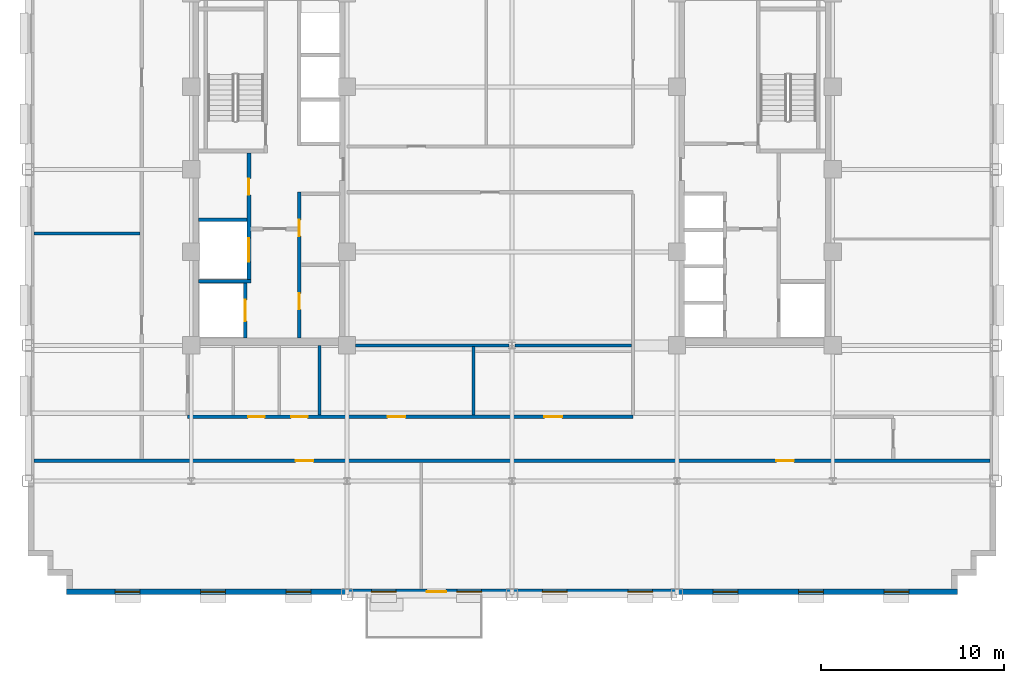
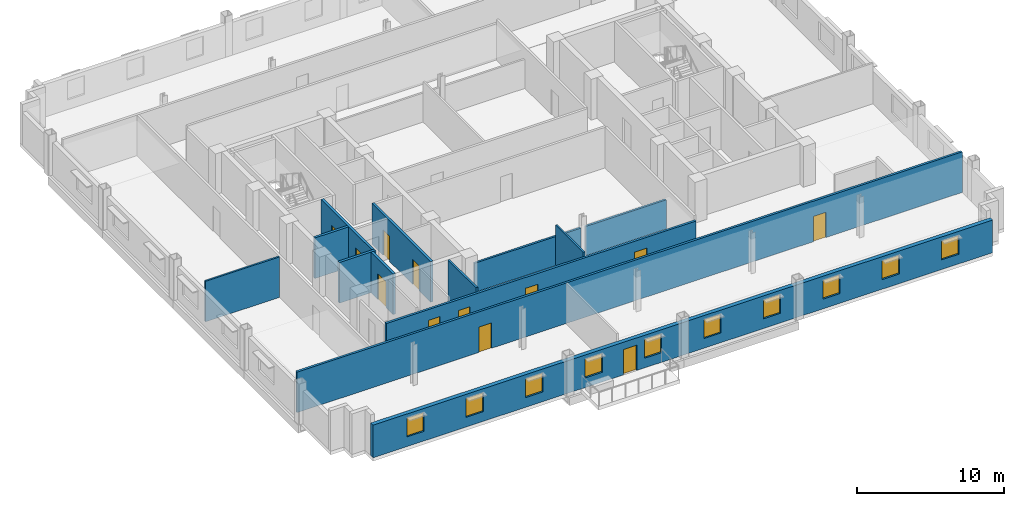
# One storey, part 6 of 14: 13 walls, 12 doors, 10 windows, 22 openings.
"""IFC4 building model written with IfcOpenShell, lengths in metres."""

from ifc_helpers import new_model, si_unit, direction, frame, frame_2d, origin, place, context, subcontext, project, spatial, rectangle, extrude, source, transform, mapped, material, layer, layer_set, type_object, type_shapes, element, fill, save


model = new_model("IFC4")

# Units and contexts
model_context = context("Model", 3, precision=1e-05, world=origin(), true_north=direction((0.0, 1.0)))
body_context = subcontext(model_context, "Body", "Model", "MODEL_VIEW")
ifc_project = project(units=[si_unit("LENGTHUNIT", "METRE"), si_unit("AREAUNIT", "SQUARE_METRE"), si_unit("VOLUMEUNIT", "CUBIC_METRE"), si_unit("PLANEANGLEUNIT", "RADIAN"), si_unit("MASSUNIT", "GRAM", prefix="KILO")], contexts=[model_context])

# Site, building, storey
site_placement = place(None, origin())
site = spatial("IfcSite", under=ifc_project, at=site_placement, CompositionType="ELEMENT")
building_placement = place(site_placement, origin())
building = spatial("IfcBuilding", under=site, at=building_placement, Name="Nuvemarco Arch Tower", CompositionType="ELEMENT")
storey_placement = place(building_placement, frame((0.0, 0.0, 134.800048828125)))
storey = spatial("IfcBuildingStorey", under=building, at=storey_placement, Name="L35", CompositionType="ELEMENT", Elevation=134.800048828125)

# Wall, openings, door, windows
ifc_material_1 = material(Name="Precast concrete C45/55", Category="concrete")
ifc_layer_1 = layer(ifc_material_1, 0.320068359375, Name="EW-MID-320")
ifc_layer_set_1 = layer_set([ifc_layer_1], Name="Precast concrete C45/55")
wall_type_1 = type_object("IfcWallType", Name="EW-MID-320", PredefinedType="STANDARD", material=ifc_layer_set_1)
wall_1_placement = place(storey_placement, frame((-24.300048828125, -23.0400390625, 0.0), z_axis=(0.0, 0.0, 1.0), x_axis=(1.0, 0.0, 0.0)))
wall_1 = element("IfcWall", 1, at=wall_1_placement, inside=storey, type_object=wall_type_1, Name="L35 exterior precast facade wall 1", PredefinedType="STANDARD", context=body_context, shape_type="SweptSolid", body=[
    extrude(rectangle(XDim=48.60009765625, YDim=0.320068359375, at=frame_2d((24.300048828125, 0.0))), origin(), (0.0, 0.0, 1.0), 2.704833984375),
])
opening_1_placement = place(wall_1_placement, frame((20.699951171875, 0.0, 0.0), z_axis=(0.0, 0.0, 1.0), x_axis=(-1.0, 0.0, 0.0)))
opening_1 = element("IfcOpeningElement", 2, at=opening_1_placement, cuts=wall_1, Name="Opening ED-5", PredefinedType="OPENING", context=body_context, shape_type="SweptSolid", body=[
    extrude(rectangle(XDim=1.050048828125, YDim=2.10009765625, at=frame_2d((0.52490234375, 1.050048828125))), frame((0.0, 0.169921875, 0.0), z_axis=(0.0, -1.0, 0.0), x_axis=(1.0, 0.0, 0.0)), (0.0, 0.0, 1.0), 0.340087890625),
])
opening_2_placement = place(wall_1_placement, frame((2.655029296875, 0.0, 0.800048828125)))
opening_2 = element("IfcOpeningElement", 3, at=opening_2_placement, cuts=wall_1, Name="Opening WN-6", PredefinedType="OPENING", context=body_context, shape_type="SweptSolid", body=[
    extrude(rectangle(XDim=1.35009765625, YDim=1.56005859375, at=frame_2d((0.675048828125, 0.780029296875))), frame((0.0, 0.169921875, 0.0), z_axis=(0.0, -1.0, 0.0), x_axis=(1.0, 0.0, 0.0)), (0.0, 0.0, 1.0), 0.340087890625),
])
opening_3_placement = place(wall_1_placement, frame((7.31494140625, 0.0, 0.800048828125)))
opening_3 = element("IfcOpeningElement", 4, at=opening_3_placement, cuts=wall_1, Name="Opening WN-6", PredefinedType="OPENING", context=body_context, shape_type="SweptSolid", body=[
    extrude(rectangle(XDim=1.35009765625, YDim=1.56005859375, at=frame_2d((0.675048828125, 0.780029296875))), frame((0.0, 0.169921875, 0.0), z_axis=(0.0, -1.0, 0.0), x_axis=(1.0, 0.0, 0.0)), (0.0, 0.0, 1.0), 0.340087890625),
])
opening_4_placement = place(wall_1_placement, frame((11.97509765625, 0.0, 0.800048828125)))
opening_4 = element("IfcOpeningElement", 5, at=opening_4_placement, cuts=wall_1, Name="Opening WN-6", PredefinedType="OPENING", context=body_context, shape_type="SweptSolid", body=[
    extrude(rectangle(XDim=1.35009765625, YDim=1.56005859375, at=frame_2d((0.675048828125, 0.780029296875))), frame((0.0, 0.169921875, 0.0), z_axis=(0.0, -1.0, 0.0), x_axis=(1.0, 0.0, 0.0)), (0.0, 0.0, 1.0), 0.340087890625),
])
opening_5_placement = place(wall_1_placement, frame((16.635009765625, 0.0, 0.800048828125)))
opening_5 = element("IfcOpeningElement", 6, at=opening_5_placement, cuts=wall_1, Name="Opening WN-6", PredefinedType="OPENING", context=body_context, shape_type="SweptSolid", body=[
    extrude(rectangle(XDim=1.35009765625, YDim=1.56005859375, at=frame_2d((0.675048828125, 0.780029296875))), frame((0.0, 0.169921875, 0.0), z_axis=(0.0, -1.0, 0.0), x_axis=(1.0, 0.0, 0.0)), (0.0, 0.0, 1.0), 0.340087890625),
])
opening_6_placement = place(wall_1_placement, frame((21.294921875, 0.0, 0.800048828125)))
opening_6 = element("IfcOpeningElement", 7, at=opening_6_placement, cuts=wall_1, Name="Opening WN-6", PredefinedType="OPENING", context=body_context, shape_type="SweptSolid", body=[
    extrude(rectangle(XDim=1.35009765625, YDim=1.56005859375, at=frame_2d((0.675048828125, 0.780029296875))), frame((0.0, 0.169921875, 0.0), z_axis=(0.0, -1.0, 0.0), x_axis=(1.0, 0.0, 0.0)), (0.0, 0.0, 1.0), 0.340087890625),
])
opening_7_placement = place(wall_1_placement, frame((25.955078125, 0.0, 0.800048828125)))
opening_7 = element("IfcOpeningElement", 8, at=opening_7_placement, cuts=wall_1, Name="Opening WN-6", PredefinedType="OPENING", context=body_context, shape_type="SweptSolid", body=[
    extrude(rectangle(XDim=1.35009765625, YDim=1.56005859375, at=frame_2d((0.675048828125, 0.780029296875))), frame((0.0, 0.169921875, 0.0), z_axis=(0.0, -1.0, 0.0), x_axis=(1.0, 0.0, 0.0)), (0.0, 0.0, 1.0), 0.340087890625),
])
opening_8_placement = place(wall_1_placement, frame((30.614990234375, 0.0, 0.800048828125)))
opening_8 = element("IfcOpeningElement", 9, at=opening_8_placement, cuts=wall_1, Name="Opening WN-6", PredefinedType="OPENING", context=body_context, shape_type="SweptSolid", body=[
    extrude(rectangle(XDim=1.35009765625, YDim=1.56005859375, at=frame_2d((0.675048828125, 0.780029296875))), frame((0.0, 0.169921875, 0.0), z_axis=(0.0, -1.0, 0.0), x_axis=(1.0, 0.0, 0.0)), (0.0, 0.0, 1.0), 0.340087890625),
])
opening_9_placement = place(wall_1_placement, frame((35.27490234375, 0.0, 0.800048828125)))
opening_9 = element("IfcOpeningElement", 10, at=opening_9_placement, cuts=wall_1, Name="Opening WN-6", PredefinedType="OPENING", context=body_context, shape_type="SweptSolid", body=[
    extrude(rectangle(XDim=1.35009765625, YDim=1.56005859375, at=frame_2d((0.675048828125, 0.780029296875))), frame((0.0, 0.169921875, 0.0), z_axis=(0.0, -1.0, 0.0), x_axis=(1.0, 0.0, 0.0)), (0.0, 0.0, 1.0), 0.340087890625),
])
opening_10_placement = place(wall_1_placement, frame((39.93505859375, 0.0, 0.800048828125)))
opening_10 = element("IfcOpeningElement", 11, at=opening_10_placement, cuts=wall_1, Name="Opening WN-6", PredefinedType="OPENING", context=body_context, shape_type="SweptSolid", body=[
    extrude(rectangle(XDim=1.35009765625, YDim=1.56005859375, at=frame_2d((0.675048828125, 0.780029296875))), frame((0.0, 0.169921875, 0.0), z_axis=(0.0, -1.0, 0.0), x_axis=(1.0, 0.0, 0.0)), (0.0, 0.0, 1.0), 0.340087890625),
])
opening_11_placement = place(wall_1_placement, frame((44.594970703125, 0.0, 0.800048828125)))
opening_11 = element("IfcOpeningElement", 12, at=opening_11_placement, cuts=wall_1, Name="Opening WN-6", PredefinedType="OPENING", context=body_context, shape_type="SweptSolid", body=[
    extrude(rectangle(XDim=1.35009765625, YDim=1.56005859375, at=frame_2d((0.675048828125, 0.780029296875))), frame((0.0, 0.169921875, 0.0), z_axis=(0.0, -1.0, 0.0), x_axis=(1.0, 0.0, 0.0)), (0.0, 0.0, 1.0), 0.340087890625),
])
ifc_material_2 = material(Name="Anodised bronze and laminated glass", Category="glass")
door_type_1 = type_object("IfcDoorType", Name="DR-EXT-TERR", OperationType="NOTDEFINED", PredefinedType="DOOR", material=ifc_material_2)
shared_shape_1 = source(origin(), body_context, "Body", "SweptSolid", [
    extrude(rectangle(XDim=1.050048828125, YDim=2.10009765625, at=frame_2d((0.52490234375, 1.050048828125))), frame((0.0, 0.02490234375, 0.0), z_axis=(0.0, -1.0, 0.0), x_axis=(1.0, 0.0, 0.0)), (0.0, 0.0, 1.0), 0.050048828125),
])
type_shapes(door_type_1, [shared_shape_1])
door_1_placement = place(opening_1_placement, origin())
door_1 = element("IfcDoor", 13, at=door_1_placement, inside=storey, type_object=door_type_1, Name="L35 spiral terrace access door", OperationType="SINGLE_SWING_LEFT", OverallHeight=2.10009765625, OverallWidth=1.050048828125, PredefinedType="DOOR", context=body_context, shape_type="MappedRepresentation", body=[
    mapped(shared_shape_1, transform((0.0, 0.0, 0.0), scale=1.0)),
])
fill(opening_1, door_1)
ifc_material_3 = material(Name="Insulated solar-control glass", Category="glass")
window_type = type_object("IfcWindowType", Name="WN-MID-1350x1560", PartitioningType="SINGLE_PANEL", PredefinedType="WINDOW", material=ifc_material_3)
shared_shape_2 = source(origin(), body_context, "Body", "SweptSolid", [
    extrude(rectangle(XDim=1.35009765625, YDim=1.56005859375, at=frame_2d((0.675048828125, 0.780029296875))), frame((0.0, 0.030029296875, 0.0), z_axis=(0.0, -1.0, 0.0), x_axis=(1.0, 0.0, 0.0)), (0.0, 0.0, 1.0), 0.06005859375),
])
type_shapes(window_type, [shared_shape_2])
window_1_placement = place(opening_2_placement, origin())
window_1 = element("IfcWindow", 14, at=window_1_placement, inside=storey, type_object=window_type, Name="L35 punched facade window 1", OverallHeight=1.56005859375, OverallWidth=1.35009765625, PartitioningType="SINGLE_PANEL", PredefinedType="WINDOW", context=body_context, shape_type="MappedRepresentation", body=[
    mapped(shared_shape_2, transform((0.0, 0.0, 0.0), scale=1.0)),
])
fill(opening_2, window_1)
window_2_placement = place(opening_3_placement, origin())
window_2 = element("IfcWindow", 15, at=window_2_placement, inside=storey, type_object=window_type, Name="L35 punched facade window 2", OverallHeight=1.56005859375, OverallWidth=1.35009765625, PartitioningType="SINGLE_PANEL", PredefinedType="WINDOW", context=body_context, shape_type="MappedRepresentation", body=[
    mapped(shared_shape_2, transform((0.0, 0.0, 0.0), scale=1.0)),
])
fill(opening_3, window_2)
window_3_placement = place(opening_4_placement, origin())
window_3 = element("IfcWindow", 16, at=window_3_placement, inside=storey, type_object=window_type, Name="L35 punched facade window 3", OverallHeight=1.56005859375, OverallWidth=1.35009765625, PartitioningType="SINGLE_PANEL", PredefinedType="WINDOW", context=body_context, shape_type="MappedRepresentation", body=[
    mapped(shared_shape_2, transform((0.0, 0.0, 0.0), scale=1.0)),
])
fill(opening_4, window_3)
window_4_placement = place(opening_5_placement, origin())
window_4 = element("IfcWindow", 17, at=window_4_placement, inside=storey, type_object=window_type, Name="L35 punched facade window 4", OverallHeight=1.56005859375, OverallWidth=1.35009765625, PartitioningType="SINGLE_PANEL", PredefinedType="WINDOW", context=body_context, shape_type="MappedRepresentation", body=[
    mapped(shared_shape_2, transform((0.0, 0.0, 0.0), scale=1.0)),
])
fill(opening_5, window_4)
window_5_placement = place(opening_6_placement, origin())
window_5 = element("IfcWindow", 18, at=window_5_placement, inside=storey, type_object=window_type, Name="L35 punched facade window 5", OverallHeight=1.56005859375, OverallWidth=1.35009765625, PartitioningType="SINGLE_PANEL", PredefinedType="WINDOW", context=body_context, shape_type="MappedRepresentation", body=[
    mapped(shared_shape_2, transform((0.0, 0.0, 0.0), scale=1.0)),
])
fill(opening_6, window_5)
window_6_placement = place(opening_7_placement, origin())
window_6 = element("IfcWindow", 19, at=window_6_placement, inside=storey, type_object=window_type, Name="L35 punched facade window 6", OverallHeight=1.56005859375, OverallWidth=1.35009765625, PartitioningType="SINGLE_PANEL", PredefinedType="WINDOW", context=body_context, shape_type="MappedRepresentation", body=[
    mapped(shared_shape_2, transform((0.0, 0.0, 0.0), scale=1.0)),
])
fill(opening_7, window_6)
window_7_placement = place(opening_8_placement, origin())
window_7 = element("IfcWindow", 20, at=window_7_placement, inside=storey, type_object=window_type, Name="L35 punched facade window 7", OverallHeight=1.56005859375, OverallWidth=1.35009765625, PartitioningType="SINGLE_PANEL", PredefinedType="WINDOW", context=body_context, shape_type="MappedRepresentation", body=[
    mapped(shared_shape_2, transform((0.0, 0.0, 0.0), scale=1.0)),
])
fill(opening_8, window_7)
window_8_placement = place(opening_9_placement, origin())
window_8 = element("IfcWindow", 21, at=window_8_placement, inside=storey, type_object=window_type, Name="L35 punched facade window 8", OverallHeight=1.56005859375, OverallWidth=1.35009765625, PartitioningType="SINGLE_PANEL", PredefinedType="WINDOW", context=body_context, shape_type="MappedRepresentation", body=[
    mapped(shared_shape_2, transform((0.0, 0.0, 0.0), scale=1.0)),
])
fill(opening_9, window_8)
window_9_placement = place(opening_10_placement, origin())
window_9 = element("IfcWindow", 22, at=window_9_placement, inside=storey, type_object=window_type, Name="L35 punched facade window 9", OverallHeight=1.56005859375, OverallWidth=1.35009765625, PartitioningType="SINGLE_PANEL", PredefinedType="WINDOW", context=body_context, shape_type="MappedRepresentation", body=[
    mapped(shared_shape_2, transform((0.0, 0.0, 0.0), scale=1.0)),
])
fill(opening_10, window_9)
window_10_placement = place(opening_11_placement, origin())
window_10 = element("IfcWindow", 23, at=window_10_placement, inside=storey, type_object=window_type, Name="L35 punched facade window 10", OverallHeight=1.56005859375, OverallWidth=1.35009765625, PartitioningType="SINGLE_PANEL", PredefinedType="WINDOW", context=body_context, shape_type="MappedRepresentation", body=[
    mapped(shared_shape_2, transform((0.0, 0.0, 0.0), scale=1.0)),
])
fill(opening_11, window_10)

# Wall, openings, doors
ifc_material_4 = material(Name="Fire-rated gypsum drywall partition")
ifc_layer_2 = layer(ifc_material_4, 0.179931640625, Name="WL-CORR-180")
ifc_layer_set_2 = layer_set([ifc_layer_2], Name="Fire-rated gypsum drywall partition")
wall_type_2 = type_object("IfcWallType", Name="WL-CORR-180", PredefinedType="PARTITIONING", material=ifc_layer_set_2)
wall_2_placement = place(storey_placement, frame((-26.080078125, -15.89990234375, 0.0), z_axis=(0.0, 0.0, 1.0), x_axis=(1.0, 0.0, 0.0)))
wall_2 = element("IfcWall", 24, at=wall_2_placement, inside=storey, type_object=wall_type_2, Name="L35 interior wall IW-L35-001", PredefinedType="PARTITIONING", context=body_context, shape_type="SweptSolid", body=[
    extrude(rectangle(XDim=52.16015625, YDim=0.179931640625, at=frame_2d((26.080078125, 0.0))), origin(), (0.0, 0.0, 1.0), 3.35986328125),
])
opening_12_placement = place(wall_2_placement, frame((14.280029296875, 0.0, 0.0)))
opening_12 = element("IfcOpeningElement", 25, at=opening_12_placement, cuts=wall_2, Name="Opening FD-5", PredefinedType="OPENING", context=body_context, shape_type="SweptSolid", body=[
    extrude(rectangle(XDim=0.9599609375, YDim=2.10009765625, at=frame_2d((0.47998046875, 1.050048828125))), frame((0.0, 0.099853515625, 0.0), z_axis=(0.0, -1.0, 0.0), x_axis=(1.0, 0.0, 0.0)), (0.0, 0.0, 1.0), 0.199951171875),
])
opening_13_placement = place(wall_2_placement, frame((40.5, 0.0, 0.0)))
opening_13 = element("IfcOpeningElement", 26, at=opening_13_placement, cuts=wall_2, Name="Opening FD-5", PredefinedType="OPENING", context=body_context, shape_type="SweptSolid", body=[
    extrude(rectangle(XDim=0.9599609375, YDim=2.10009765625, at=frame_2d((0.47998046875, 1.050048828125))), frame((0.0, 0.099853515625, 0.0), z_axis=(0.0, -1.0, 0.0), x_axis=(1.0, 0.0, 0.0)), (0.0, 0.0, 1.0), 0.199951171875),
])
ifc_material_5 = material(Name="Timber fire door", Category="wood")
door_type_2 = type_object("IfcDoorType", Name="DR-CORR-FD", OperationType="NOTDEFINED", PredefinedType="DOOR", material=ifc_material_5)
shared_shape_3 = source(origin(), body_context, "Body", "SweptSolid", [
    extrude(rectangle(XDim=0.9599609375, YDim=2.10009765625, at=frame_2d((0.47998046875, 1.050048828125))), frame((0.0, 0.02490234375, 0.0), z_axis=(0.0, -1.0, 0.0), x_axis=(1.0, 0.0, 0.0)), (0.0, 0.0, 1.0), 0.050048828125),
])
type_shapes(door_type_2, [shared_shape_3])
door_2_placement = place(opening_12_placement, origin())
door_2 = element("IfcDoor", 27, at=door_2_placement, inside=storey, type_object=door_type_2, Name="L35 door DR-L35-S_1", OperationType="SINGLE_SWING_RIGHT", OverallHeight=2.10009765625, OverallWidth=0.9599609375, PredefinedType="DOOR", context=body_context, shape_type="MappedRepresentation", body=[
    mapped(shared_shape_3, transform((0.0, 0.0, 0.0), scale=1.0)),
])
fill(opening_12, door_2)
door_3_placement = place(opening_13_placement, origin())
door_3 = element("IfcDoor", 28, at=door_3_placement, inside=storey, type_object=door_type_2, Name="L35 door DR-L35-S_2", OperationType="SINGLE_SWING_RIGHT", OverallHeight=2.10009765625, OverallWidth=0.9599609375, PredefinedType="DOOR", context=body_context, shape_type="MappedRepresentation", body=[
    mapped(shared_shape_3, transform((0.0, 0.0, 0.0), scale=1.0)),
])
fill(opening_13, door_3)

wall_3_placement = place(storey_placement, frame((-17.699951171875, -13.5, 0.0), z_axis=(0.0, 0.0, 1.0), x_axis=(1.0, 0.0, 0.0)))
wall_3 = element("IfcWall", 29, at=wall_3_placement, inside=storey, type_object=wall_type_2, Name="L35 interior wall IW-L35-002", PredefinedType="PARTITIONING", context=body_context, shape_type="SweptSolid", body=[
    extrude(rectangle(XDim=24.300048828125, YDim=0.179931640625, at=frame_2d((12.14990234375, 0.0))), origin(), (0.0, 0.0, 1.0), 2.998046875),
])
opening_14_placement = place(wall_3_placement, frame((19.469970703125, 0.0, 0.0)))
opening_14 = element("IfcOpeningElement", 30, at=opening_14_placement, cuts=wall_3, Name="Opening FD-5", PredefinedType="OPENING", context=body_context, shape_type="SweptSolid", body=[
    extrude(rectangle(XDim=0.9599609375, YDim=2.10009765625, at=frame_2d((0.47998046875, 1.050048828125))), frame((0.0, 0.099853515625, 0.0), z_axis=(0.0, -1.0, 0.0), x_axis=(1.0, 0.0, 0.0)), (0.0, 0.0, 1.0), 0.199951171875),
])
opening_15_placement = place(wall_3_placement, frame((10.919921875, 0.0, 0.0)))
opening_15 = element("IfcOpeningElement", 31, at=opening_15_placement, cuts=wall_3, Name="Opening FD-5", PredefinedType="OPENING", context=body_context, shape_type="SweptSolid", body=[
    extrude(rectangle(XDim=0.9599609375, YDim=2.10009765625, at=frame_2d((0.47998046875, 1.050048828125))), frame((0.0, 0.099853515625, 0.0), z_axis=(0.0, -1.0, 0.0), x_axis=(1.0, 0.0, 0.0)), (0.0, 0.0, 1.0), 0.199951171875),
])
opening_16_placement = place(wall_3_placement, frame((3.300048828125, 0.0, 0.0)))
opening_16 = element("IfcOpeningElement", 32, at=opening_16_placement, cuts=wall_3, Name="Opening ID-3", PredefinedType="OPENING", context=body_context, shape_type="SweptSolid", body=[
    extrude(rectangle(XDim=0.89990234375, YDim=2.10009765625, at=frame_2d((0.449951171875, 1.050048828125))), frame((0.0, 0.099853515625, 0.0), z_axis=(0.0, -1.0, 0.0), x_axis=(1.0, 0.0, 0.0)), (0.0, 0.0, 1.0), 0.199951171875),
])
opening_17_placement = place(wall_3_placement, frame((5.64990234375, 0.0, 0.0)))
opening_17 = element("IfcOpeningElement", 33, at=opening_17_placement, cuts=wall_3, Name="Opening ID-3", PredefinedType="OPENING", context=body_context, shape_type="SweptSolid", body=[
    extrude(rectangle(XDim=0.89990234375, YDim=2.10009765625, at=frame_2d((0.449951171875, 1.050048828125))), frame((0.0, 0.099853515625, 0.0), z_axis=(0.0, -1.0, 0.0), x_axis=(1.0, 0.0, 0.0)), (0.0, 0.0, 1.0), 0.199951171875),
])
door_4_placement = place(opening_14_placement, origin())
door_4 = element("IfcDoor", 34, at=door_4_placement, inside=storey, type_object=door_type_2, Name="L35 door DR-L35-IN_S2", OperationType="SINGLE_SWING_RIGHT", OverallHeight=2.10009765625, OverallWidth=0.9599609375, PredefinedType="DOOR", context=body_context, shape_type="MappedRepresentation", body=[
    mapped(shared_shape_3, transform((0.0, 0.0, 0.0), scale=1.0)),
])
fill(opening_14, door_4)
door_5_placement = place(opening_15_placement, origin())
door_5 = element("IfcDoor", 35, at=door_5_placement, inside=storey, type_object=door_type_2, Name="L35 door DR-L35-IN_S1", OperationType="SINGLE_SWING_LEFT", OverallHeight=2.10009765625, OverallWidth=0.9599609375, PredefinedType="DOOR", context=body_context, shape_type="MappedRepresentation", body=[
    mapped(shared_shape_3, transform((0.0, 0.0, 0.0), scale=1.0)),
])
fill(opening_15, door_5)
ifc_material_6 = material(Name="Veneered oak timber fire door", Category="wood")
door_type_3 = type_object("IfcDoorType", Name="DR-WC-ACC", OperationType="NOTDEFINED", PredefinedType="DOOR", material=ifc_material_6)
shared_shape_4 = source(origin(), body_context, "Body", "SweptSolid", [
    extrude(rectangle(XDim=0.89990234375, YDim=2.10009765625, at=frame_2d((0.449951171875, 1.050048828125))), frame((0.0, 0.02490234375, 0.0), z_axis=(0.0, -1.0, 0.0), x_axis=(1.0, 0.0, 0.0)), (0.0, 0.0, 1.0), 0.050048828125),
])
type_shapes(door_type_3, [shared_shape_4])
door_6_placement = place(opening_16_placement, origin())
door_6 = element("IfcDoor", 36, at=door_6_placement, inside=storey, type_object=door_type_3, Name="L35 door DR-L35-WC_F", OperationType="SINGLE_SWING_LEFT", OverallHeight=2.10009765625, OverallWidth=0.89990234375, PredefinedType="DOOR", context=body_context, shape_type="MappedRepresentation", body=[
    mapped(shared_shape_4, transform((0.0, 0.0, 0.0), scale=1.0)),
])
fill(opening_16, door_6)
door_7_placement = place(opening_17_placement, origin())
door_7 = element("IfcDoor", 37, at=door_7_placement, inside=storey, type_object=door_type_3, Name="L35 door DR-L35-WC_ACC", OperationType="SINGLE_SWING_RIGHT", OverallHeight=2.10009765625, OverallWidth=0.89990234375, PredefinedType="DOOR", context=body_context, shape_type="MappedRepresentation", body=[
    mapped(shared_shape_4, transform((0.0, 0.0, 0.0), scale=1.0)),
])
fill(opening_17, door_7)

# Walls
ifc_material_7 = material(Name="Gypsum plasterboard partition")
ifc_layer_3 = layer(ifc_material_7, 0.139892578125, Name="WL-ROOM-140")
ifc_layer_set_3 = layer_set([ifc_layer_3], Name="Gypsum plasterboard partition")
wall_type_3 = type_object("IfcWallType", Name="WL-ROOM-140", PredefinedType="PARTITIONING", material=ifc_layer_set_3)
wall_4_placement = place(storey_placement, frame((-26.080078125, -3.5, 0.0), z_axis=(0.0, 0.0, 1.0), x_axis=(1.0, 0.0, 0.0)))
element("IfcWall", 38, at=wall_4_placement, inside=storey, type_object=wall_type_3, Name="L35 interior wall IW-L35-007", PredefinedType="PARTITIONING", context=body_context, shape_type="SweptSolid", body=[
    extrude(rectangle(XDim=5.794189453125, YDim=0.139892578125, at=frame_2d((2.89697265625, 0.0))), origin(), (0.0, 0.0, 1.0), 3.35986328125),
])
wall_5_placement = place(storey_placement, frame((-2.10009765625, -13.4140625, 0.0), z_axis=(0.0, 0.0, 1.0), x_axis=(0.0, 1.0, 0.0)))
element("IfcWall", 39, at=wall_5_placement, inside=storey, type_object=wall_type_3, Name="L35 interior wall IW-L35-022", PredefinedType="PARTITIONING", context=body_context, shape_type="SweptSolid", body=[
    extrude(rectangle(XDim=3.738037109375, YDim=0.139892578125, at=frame_2d((1.869140625, 0.0))), origin(), (0.0, 0.0, 1.0), 3.35986328125),
])

# Wall, opening, door
ifc_material_8 = material(Name="Concrete C50/60", Category="concrete")
ifc_layer_4 = layer(ifc_material_8, 0.199951171875, Name="WL-SHAFT-220")
ifc_layer_set_4 = layer_set([ifc_layer_4], Name="Concrete C50/60")
wall_type_4 = type_object("IfcWallType", Name="WL-SHAFT-220", PredefinedType="SHEAR", material=ifc_layer_set_4)
wall_6_placement = place(storey_placement, frame((-14.550048828125, -9.205078125, 0.0), z_axis=(0.0, 0.0, 1.0), x_axis=(0.0, 1.0, 0.0)))
wall_6 = element("IfcWall", 40, at=wall_6_placement, inside=storey, type_object=wall_type_4, Name="L35 structural shaft wall SW-L35-W-SHE", PredefinedType="SHEAR", context=body_context, shape_type="SweptSolid", body=[
    extrude(rectangle(XDim=3.010009765625, YDim=0.199951171875, at=frame_2d((1.5048828125, 0.0))), origin(), (0.0, 0.0, 1.0), 3.369873046875),
])
opening_18_placement = place(wall_6_placement, frame((0.929931640625, 0.0, 0.0)))
opening_18 = element("IfcOpeningElement", 41, at=opening_18_placement, cuts=wall_6, Name="Opening LD-2", PredefinedType="OPENING", context=body_context, shape_type="SweptSolid", body=[
    extrude(rectangle(XDim=1.14990234375, YDim=2.14990234375, at=frame_2d((0.574951171875, 1.074951171875))), frame((0.0, 0.10986328125, 0.0), z_axis=(0.0, -1.0, 0.0), x_axis=(1.0, 0.0, 0.0)), (0.0, 0.0, 1.0), 0.219970703125),
])
ifc_material_9 = material(Name="Stainless steel lift door", Category="steel")
door_type_4 = type_object("IfcDoorType", Name="DR-LIFT-FIRE", OperationType="DOUBLE_DOOR_SLIDING", PredefinedType="DOOR", material=ifc_material_9)
shared_shape_5 = source(origin(), body_context, "Body", "SweptSolid", [
    extrude(rectangle(XDim=1.14990234375, YDim=2.14990234375, at=frame_2d((0.574951171875, 1.074951171875))), frame((0.0, 0.02490234375, 0.0), z_axis=(0.0, -1.0, 0.0), x_axis=(1.0, 0.0, 0.0)), (0.0, 0.0, 1.0), 0.050048828125),
])
type_shapes(door_type_4, [shared_shape_5])
door_8_placement = place(opening_18_placement, origin())
door_8 = element("IfcDoor", 42, at=door_8_placement, inside=storey, type_object=door_type_4, Name="L35 Lift landing sliding door FFL-1", OperationType="DOUBLE_DOOR_SLIDING", OverallHeight=2.14990234375, OverallWidth=1.14990234375, PredefinedType="DOOR", context=body_context, shape_type="MappedRepresentation", body=[
    mapped(shared_shape_5, transform((0.0, 0.0, 0.0), scale=1.0)),
])
fill(opening_18, door_8)

# Wall, openings, doors
wall_7_placement = place(storey_placement, frame((-14.35009765625, -6.199951171875, 0.0), z_axis=(0.0, 0.0, 1.0), x_axis=(0.0, 1.0, 0.0)))
wall_7 = element("IfcWall", 43, at=wall_7_placement, inside=storey, type_object=wall_type_4, Name="L35 structural shaft wall SW-L35-W-SVE", PredefinedType="SHEAR", context=body_context, shape_type="SweptSolid", body=[
    extrude(rectangle(XDim=7.10498046875, YDim=0.199951171875, at=frame_2d((3.552490234375, 0.0))), origin(), (0.0, 0.0, 1.0), 3.369873046875),
])
opening_19_placement = place(wall_7_placement, frame((5.68994140625, 0.0, 0.0), z_axis=(0.0, 0.0, 1.0), x_axis=(-1.0, 0.0, 0.0)))
opening_19 = element("IfcOpeningElement", 44, at=opening_19_placement, cuts=wall_7, Name="Opening FD-4", PredefinedType="OPENING", context=body_context, shape_type="SweptSolid", body=[
    extrude(rectangle(XDim=0.8798828125, YDim=2.10009765625, at=frame_2d((0.43994140625, 1.050048828125))), frame((0.0, 0.10986328125, 0.0), z_axis=(0.0, -1.0, 0.0), x_axis=(1.0, 0.0, 0.0)), (0.0, 0.0, 1.0), 0.219970703125),
])
opening_20_placement = place(wall_7_placement, frame((1.14990234375, 0.0, 0.0)))
opening_20 = element("IfcOpeningElement", 45, at=opening_20_placement, cuts=wall_7, Name="Opening LD-3", PredefinedType="OPENING", context=body_context, shape_type="SweptSolid", body=[
    extrude(rectangle(XDim=1.300048828125, YDim=2.199951171875, at=frame_2d((0.64990234375, 1.10009765625))), frame((0.0, 0.10986328125, 0.0), z_axis=(0.0, -1.0, 0.0), x_axis=(1.0, 0.0, 0.0)), (0.0, 0.0, 1.0), 0.219970703125),
])
ifc_material_10 = material(Name="Anodised steel fire door", Category="steel")
door_type_5 = type_object("IfcDoorType", Name="DR-RISER-FD", OperationType="NOTDEFINED", PredefinedType="DOOR", material=ifc_material_10)
shared_shape_6 = source(origin(), body_context, "Body", "SweptSolid", [
    extrude(rectangle(XDim=0.8798828125, YDim=2.10009765625, at=frame_2d((0.43994140625, 1.050048828125))), frame((0.0, 0.02490234375, 0.0), z_axis=(0.0, -1.0, 0.0), x_axis=(1.0, 0.0, 0.0)), (0.0, 0.0, 1.0), 0.050048828125),
])
type_shapes(door_type_5, [shared_shape_6])
door_9_placement = place(opening_19_placement, origin())
door_9 = element("IfcDoor", 46, at=door_9_placement, inside=storey, type_object=door_type_5, Name="L35 door FD-L35-WRIS", OperationType="SINGLE_SWING_LEFT", OverallHeight=2.10009765625, OverallWidth=0.8798828125, PredefinedType="DOOR", context=body_context, shape_type="MappedRepresentation", body=[
    mapped(shared_shape_6, transform((0.0, 0.0, 0.0), scale=1.0)),
])
fill(opening_19, door_9)
door_type_6 = type_object("IfcDoorType", Name="DR-LIFT-SERV", OperationType="DOUBLE_DOOR_SLIDING", PredefinedType="DOOR", material=ifc_material_9)
shared_shape_7 = source(origin(), body_context, "Body", "SweptSolid", [
    extrude(rectangle(XDim=1.300048828125, YDim=2.199951171875, at=frame_2d((0.64990234375, 1.10009765625))), frame((0.0, 0.02490234375, 0.0), z_axis=(0.0, -1.0, 0.0), x_axis=(1.0, 0.0, 0.0)), (0.0, 0.0, 1.0), 0.050048828125),
])
type_shapes(door_type_6, [shared_shape_7])
door_10_placement = place(opening_20_placement, origin())
door_10 = element("IfcDoor", 47, at=door_10_placement, inside=storey, type_object=door_type_6, Name="L35 Lift landing sliding door SVL-1", OperationType="DOUBLE_DOOR_SLIDING", OverallHeight=2.199951171875, OverallWidth=1.300048828125, PredefinedType="DOOR", context=body_context, shape_type="MappedRepresentation", body=[
    mapped(shared_shape_7, transform((0.0, 0.0, 0.0), scale=1.0)),
])
fill(opening_20, door_10)

# Walls
wall_8_placement = place(storey_placement, frame((-17.10498046875, -6.10009765625, 0.0), z_axis=(0.0, 0.0, 1.0), x_axis=(1.0, 0.0, 0.0)))
element("IfcWall", 48, at=wall_8_placement, inside=storey, type_object=wall_type_4, Name="L35 structural shaft wall SW-L35-W-SH1", PredefinedType="SHEAR", context=body_context, shape_type="SweptSolid", body=[
    extrude(rectangle(XDim=2.85498046875, YDim=0.199951171875, at=frame_2d((1.427490234375, 0.0))), origin(), (0.0, 0.0, 1.0), 3.369873046875),
])
wall_9_placement = place(storey_placement, frame((-17.10498046875, -2.75, 0.0), z_axis=(0.0, 0.0, 1.0), x_axis=(1.0, 0.0, 0.0)))
element("IfcWall", 49, at=wall_9_placement, inside=storey, type_object=wall_type_4, Name="L35 structural shaft wall SW-L35-W-SH2", PredefinedType="SHEAR", context=body_context, shape_type="SweptSolid", body=[
    extrude(rectangle(XDim=2.659912109375, YDim=0.199951171875, at=frame_2d((1.330078125, 0.0))), origin(), (0.0, 0.0, 1.0), 3.369873046875),
])

# Wall, openings, doors
wall_10_placement = place(storey_placement, frame((-11.60009765625, -9.205078125, 0.0), z_axis=(0.0, 0.0, 1.0), x_axis=(0.0, 1.0, 0.0)))
wall_10 = element("IfcWall", 50, at=wall_10_placement, inside=storey, type_object=wall_type_4, Name="L35 structural shaft wall SW-L35-W-PLW", PredefinedType="SHEAR", context=body_context, shape_type="SweptSolid", body=[
    extrude(rectangle(XDim=7.97509765625, YDim=0.199951171875, at=frame_2d((3.987548828125, 0.0))), origin(), (0.0, 0.0, 1.0), 3.369873046875),
])
opening_21_placement = place(wall_10_placement, frame((1.56494140625, 0.0, 0.0)))
opening_21 = element("IfcOpeningElement", 51, at=opening_21_placement, cuts=wall_10, Name="Opening FD-4", PredefinedType="OPENING", context=body_context, shape_type="SweptSolid", body=[
    extrude(rectangle(XDim=0.8798828125, YDim=2.10009765625, at=frame_2d((0.43994140625, 1.050048828125))), frame((0.0, 0.10986328125, 0.0), z_axis=(0.0, -1.0, 0.0), x_axis=(1.0, 0.0, 0.0)), (0.0, 0.0, 1.0), 0.219970703125),
])
opening_22_placement = place(wall_10_placement, frame((5.56494140625, 0.0, 0.0)))
opening_22 = element("IfcOpeningElement", 52, at=opening_22_placement, cuts=wall_10, Name="Opening FD-4", PredefinedType="OPENING", context=body_context, shape_type="SweptSolid", body=[
    extrude(rectangle(XDim=0.8798828125, YDim=2.10009765625, at=frame_2d((0.43994140625, 1.050048828125))), frame((0.0, 0.10986328125, 0.0), z_axis=(0.0, -1.0, 0.0), x_axis=(1.0, 0.0, 0.0)), (0.0, 0.0, 1.0), 0.219970703125),
])
door_11_placement = place(opening_21_placement, origin())
door_11 = element("IfcDoor", 53, at=door_11_placement, inside=storey, type_object=door_type_5, Name="L35 door FD-L35-WREC1", OperationType="SINGLE_SWING_LEFT", OverallHeight=2.10009765625, OverallWidth=0.8798828125, PredefinedType="DOOR", context=body_context, shape_type="MappedRepresentation", body=[
    mapped(shared_shape_6, transform((0.0, 0.0, 0.0), scale=1.0)),
])
fill(opening_21, door_11)
door_12_placement = place(opening_22_placement, origin())
door_12 = element("IfcDoor", 54, at=door_12_placement, inside=storey, type_object=door_type_5, Name="L35 door FD-L35-WREC2", OperationType="SINGLE_SWING_RIGHT", OverallHeight=2.10009765625, OverallWidth=0.8798828125, PredefinedType="DOOR", context=body_context, shape_type="MappedRepresentation", body=[
    mapped(shared_shape_6, transform((0.0, 0.0, 0.0), scale=1.0)),
])
fill(opening_22, door_12)

# Walls
ifc_material_11 = material(Name="Acoustic gypsum drywall partition")
ifc_layer_5 = layer(ifc_material_11, 0.159912109375, Name="WL-TENANT-160")
ifc_layer_set_5 = layer_set([ifc_layer_5], Name="Acoustic gypsum drywall partition")
wall_type_5 = type_object("IfcWallType", Name="WL-TENANT-160", PredefinedType="PARTITIONING", material=ifc_layer_set_5)
wall_11_placement = place(storey_placement, frame((-8.529052734375, -9.60009765625, 0.0), z_axis=(0.0, 0.0, 1.0), x_axis=(1.0, 0.0, 0.0)))
element("IfcWall", 55, at=wall_11_placement, inside=storey, type_object=wall_type_5, Name="L35 interior wall IW-L35-004", PredefinedType="PARTITIONING", context=body_context, shape_type="SweptSolid", body=[
    extrude(rectangle(XDim=8.35302734375, YDim=0.159912109375, at=frame_2d((4.176513671875, 0.0))), origin(), (0.0, 0.0, 1.0), 2.405029296875),
])
wall_12_placement = place(storey_placement, frame((0.176025390625, -9.60009765625, 0.0), z_axis=(0.0, 0.0, 1.0), x_axis=(1.0, 0.0, 0.0)))
element("IfcWall", 56, at=wall_12_placement, inside=storey, type_object=wall_type_5, Name="L35 interior wall IW-L35-005", PredefinedType="PARTITIONING", context=body_context, shape_type="SweptSolid", body=[
    extrude(rectangle(XDim=6.337890625, YDim=0.159912109375, at=frame_2d((3.1689453125, 0.0))), origin(), (0.0, 0.0, 1.0), 2.405029296875),
])
ifc_material_12 = material(Name="Moisture-resistant gypsum partition")
ifc_layer_6 = layer(ifc_material_12, 0.14990234375, Name="WL-WET-150")
ifc_layer_set_6 = layer_set([ifc_layer_6], Name="Moisture-resistant gypsum partition")
wall_type_6 = type_object("IfcWallType", Name="WL-WET-150", PredefinedType="PARTITIONING", material=ifc_layer_set_6)
wall_13_placement = place(storey_placement, frame((-10.5, -13.4140625, 0.0), z_axis=(0.0, 0.0, 1.0), x_axis=(0.0, 1.0, 0.0)))
element("IfcWall", 57, at=wall_13_placement, inside=storey, type_object=wall_type_6, Name="L35 interior wall IW-L35-020", PredefinedType="PARTITIONING", context=body_context, shape_type="SweptSolid", body=[
    extrude(rectangle(XDim=3.81396484375, YDim=0.14990234375, at=frame_2d((1.906982421875, 0.0))), origin(), (0.0, 0.0, 1.0), 3.35986328125),
])

save(model, "model.ifc")
